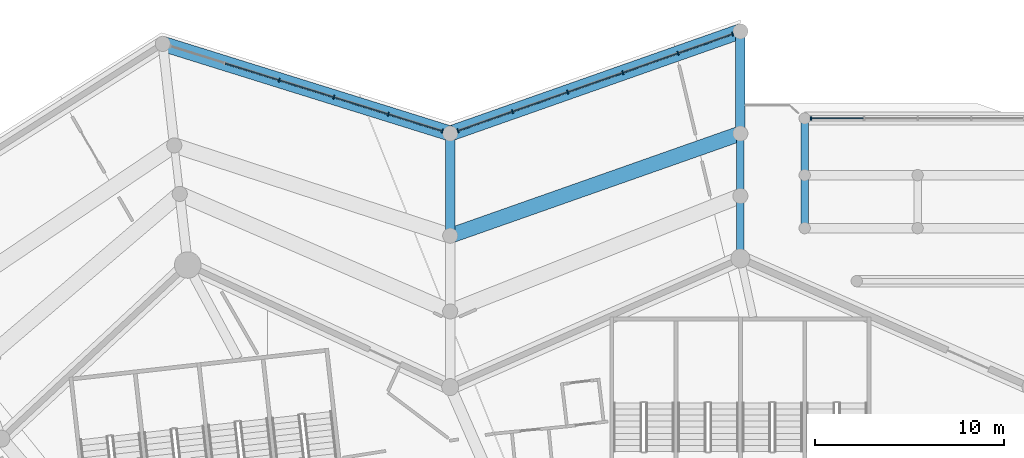
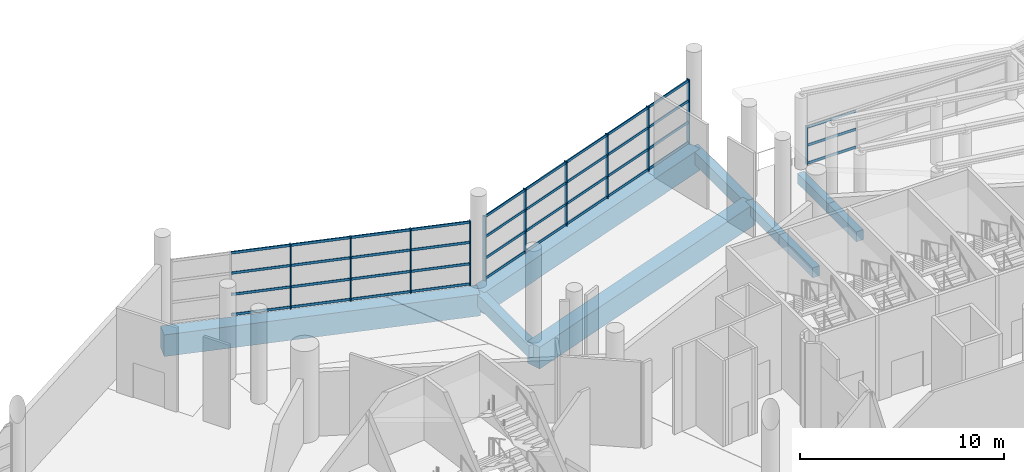
# One storey, part 88 of 271: 50 members, 9 beams, 3 elements without a shape of their own.
"""IFC4 building model written with IfcOpenShell, lengths in metres."""

from ifc_helpers import new_model, si_unit, direction, frame, origin, origin_2d, place, context, subcontext, project, spatial, rectangle, extrude, material, layer, layer_set, material_profile, profile_set, type_object, element, aggregate, save


model = new_model("IFC4")

# Units and contexts
model_context = context("Model", 3, precision=1e-05, world=origin(), true_north=direction((0.0, 1.0)))
body_context = subcontext(model_context, "Body", "Model", "MODEL_VIEW")
ifc_project = project(units=[si_unit("LENGTHUNIT", "METRE"), si_unit("AREAUNIT", "SQUARE_METRE"), si_unit("VOLUMEUNIT", "CUBIC_METRE"), si_unit("PLANEANGLEUNIT", "RADIAN"), si_unit("MASSUNIT", "GRAM", prefix="KILO")], contexts=[model_context])

# Site, building, storey
site_placement = place(None, origin())
site = spatial("IfcSite", under=ifc_project, at=site_placement, CompositionType="ELEMENT")
building_placement = place(site_placement, origin())
building = spatial("IfcBuilding", under=site, at=building_placement, Name="Meseta Stadium", CompositionType="ELEMENT")
storey_placement = place(building_placement, frame((0.0, 0.0, 6.5)))
storey = spatial("IfcBuildingStorey", under=building, at=storey_placement, Name="L01", CompositionType="ELEMENT", Elevation=6.5)

# Beams
ifc_material_1 = material(Name="Concrete C40/50", Category="concrete")
ifc_material_profile_1 = material_profile(ifc_material_1, rectangle(XDim=0.39990234375, YDim=0.60009765625, at=origin_2d()), Name="RC 400x600")
ifc_profile_set_1 = profile_set([ifc_material_profile_1], Name="Concrete C40/50")
beam_type_1 = type_object("IfcBeamType", Name="RC beam 400x600", PredefinedType="BEAM", material=ifc_profile_set_1)
for number, where, z_axis, x_axis, name in (
    (1, (-23.0, 105.39990234375, -0.64990234375), (0.0, 1.0, 0.0), (-1.0, 0.0, 0.0), "L01 radial beam frame 20 line R to M"),
    (2, (-23.0, 108.699951171875, -0.64990234375), (0.0, 1.0, 0.0), (-1.0, 0.0, 0.0), "L01 radial beam frame 20 line M to Q"),
):
    element("IfcBeam", number, at=place(storey_placement, frame(where, z_axis=z_axis, x_axis=x_axis)), inside=storey, type_object=beam_type_1, Name=name, PredefinedType="BEAM", context=body_context, shape_type="SweptSolid", body=[
        extrude(rectangle(XDim=0.39990234375, YDim=0.60009765625, at=origin_2d()), origin(), (0.0, 0.0, 1.0), 3.300048828125),
    ])
beam_1_placement = place(storey_placement, frame((-19.60009765625, 107.0, -0.64990234375), z_axis=(0.0, 1.0, 0.0), x_axis=(-1.0, 0.0, 0.0)))
element("IfcBeam", 3, at=beam_1_placement, inside=storey, type_object=beam_type_1, Name="Gate 3 floor beam", PredefinedType="BEAM", context=body_context, shape_type="SweptSolid", body=[
    extrude(rectangle(XDim=0.39990234375, YDim=0.60009765625, at=origin_2d()), origin(), (0.0, 0.0, 1.0), 2.800048828125),
])
beam_2_placement = place(storey_placement, frame((-19.60009765625, 109.800048828125, -0.64990234375), z_axis=(0.0, 1.0, 0.0), x_axis=(-1.0, 0.0, 0.0)))
element("IfcBeam", 4, at=beam_2_placement, inside=storey, type_object=beam_type_1, Name="Gate 3 floor beam", PredefinedType="BEAM", context=body_context, shape_type="SweptSolid", body=[
    extrude(rectangle(XDim=0.39990234375, YDim=0.60009765625, at=origin_2d()), origin(), (0.0, 0.0, 1.0), 3.0),
])
ifc_material_2 = material(Name="Concrete C40/50", Category="concrete")
ifc_material_profile_2 = material_profile(ifc_material_2, rectangle(XDim=0.5, YDim=0.75, at=origin_2d()), Name="RC 500x750")
ifc_profile_set_2 = profile_set([ifc_material_profile_2], Name="Concrete C40/50")
beam_type_2 = type_object("IfcBeamType", Name="RC beam 500x750", PredefinedType="BEAM", material=ifc_profile_set_2)
for number, where, z_axis, x_axis, name in (
    (5, (-23.0, 112.0, -0.72509765625), (0.0, 1.0, 0.0), (-1.0, 0.0, 0.0), "L01 radial beam frame 20 line Q to O"),
    (6, (-38.333251953125, 106.60009765625, -0.72509765625), (0.0, 1.0, 0.0), (-1.0, 0.0, 0.0), "L01 radial beam frame 21 line Q to O"),
):
    element("IfcBeam", number, at=place(storey_placement, frame(where, z_axis=z_axis, x_axis=x_axis)), inside=storey, type_object=beam_type_2, Name=name, PredefinedType="BEAM", context=body_context, shape_type="SweptSolid", body=[
        extrude(rectangle(XDim=0.5, YDim=0.75, at=origin_2d()), origin(), (0.0, 0.0, 1.0), 5.39990234375),
    ])
ifc_material_3 = material(Name="Concrete C40/50", Category="concrete")
ifc_material_profile_3 = material_profile(ifc_material_3, rectangle(XDim=0.800048828125, YDim=1.300048828125, at=origin_2d()), Name="RC 800x1300")
ifc_profile_set_3 = profile_set([ifc_material_profile_3], Name="Concrete C40/50")
beam_type_3 = type_object("IfcBeamType", Name="RC beam 800x1300", PredefinedType="BEAM", material=ifc_profile_set_3)
for number, where, z_axis, x_axis, name in (
    (7, (-23.0, 112.0, -1.0), (-0.943218573019, -0.332172731439, 0.0), (0.332172731439, -0.943218573019, 0.0), "L01 ring beam frame 20 line Q"),
    (8, (-23.0, 117.39990234375, -1.0), (-0.943218573019, -0.332172731439, 0.0), (0.332172731439, -0.943218573019, 0.0), "L01 ring beam frame 20 line O"),
):
    element("IfcBeam", number, at=place(storey_placement, frame(where, z_axis=z_axis, x_axis=x_axis)), inside=storey, type_object=beam_type_3, Name=name, PredefinedType="BEAM", context=body_context, shape_type="SweptSolid", body=[
        extrude(rectangle(XDim=0.800048828125, YDim=1.300048828125, at=origin_2d()), origin(), (0.0, 0.0, 1.0), 16.25634765625),
    ])
beam_3_placement = place(storey_placement, frame((-38.333251953125, 112.0, -1.0), z_axis=(-0.954612869987, 0.297849405667, 0.0), x_axis=(-0.297849405667, -0.954612869987, 0.0)))
element("IfcBeam", 9, at=beam_3_placement, inside=storey, type_object=beam_type_3, Name="L01 ring beam frame 21 line O", PredefinedType="BEAM", context=body_context, shape_type="SweptSolid", body=[
    extrude(rectangle(XDim=0.800048828125, YDim=1.300048828125, at=origin_2d()), origin(), (0.0, 0.0, 1.0), 15.908203125),
])

# Curtain wall, members
ifc_material_4 = material(Name="Aluminium", Category="aluminium")
ifc_layer_1 = layer(ifc_material_4, 0.199951171875)
ifc_layer_set_1 = layer_set([ifc_layer_1], Name="Ring shopfront curtain wall")
curtain_wall_type_1 = type_object("IfcCurtainWallType", Name="Ring shopfront curtain wall", PredefinedType="NOTDEFINED", material=ifc_layer_set_1)
curtain_wall_1_placement = place(storey_placement, origin())
curtain_wall_1 = element("IfcCurtainWall", 10, at=curtain_wall_1_placement, inside=storey, type_object=curtain_wall_type_1, Name="Ring glazing L01 F20", PredefinedType="NOTDEFINED")
ifc_material_5 = material(Name="Aluminium", Category="aluminium")
ifc_material_profile_4 = material_profile(ifc_material_5, rectangle(XDim=0.199951171875, YDim=0.06005859375, at=origin_2d()), Name="CW 200x60")
ifc_profile_set_4 = profile_set([ifc_material_profile_4], Name="Aluminium")
member_type_1 = type_object("IfcMemberType", Name="Ring CW mullion 60x200", PredefinedType="MULLION", material=ifc_profile_set_4)
member_1_placement = place(storey_placement, frame((-23.405517578125, 117.257080078125, 0.0), z_axis=(0.0, 0.0, 1.0), x_axis=(0.332174330154, -0.943218009999, 0.0)))
member_1 = element("IfcMember", 11, at=member_1_placement, type_object=member_type_1, Name="CWR1 mullion 1", PredefinedType="MULLION", context=body_context, shape_type="SweptSolid", body=[
    extrude(rectangle(XDim=0.199951171875, YDim=0.06005859375, at=origin_2d()), origin(), (0.0, 0.0, 1.0), 3.85009765625),
])
member_2_placement = place(storey_placement, frame((-26.29296875, 116.240234375, 0.0), z_axis=(0.0, 0.0, 1.0), x_axis=(0.332174330154, -0.943218009999, 0.0)))
member_2 = element("IfcMember", 12, at=member_2_placement, type_object=member_type_1, Name="CWR1 mullion 2", PredefinedType="MULLION", context=body_context, shape_type="SweptSolid", body=[
    extrude(rectangle(XDim=0.199951171875, YDim=0.06005859375, at=origin_2d()), origin(), (0.0, 0.0, 1.0), 3.85009765625),
])
member_3_placement = place(storey_placement, frame((-29.208740234375, 115.21337890625, 0.0), z_axis=(0.0, 0.0, 1.0), x_axis=(0.332174330154, -0.943218009999, 0.0)))
member_3 = element("IfcMember", 13, at=member_3_placement, type_object=member_type_1, Name="CWR1 mullion 3", PredefinedType="MULLION", context=body_context, shape_type="SweptSolid", body=[
    extrude(rectangle(XDim=0.199951171875, YDim=0.06005859375, at=origin_2d()), origin(), (0.0, 0.0, 1.0), 3.85009765625),
])
member_4_placement = place(storey_placement, frame((-32.12451171875, 114.1865234375, 0.0), z_axis=(0.0, 0.0, 1.0), x_axis=(0.332174330154, -0.943218009999, 0.0)))
member_4 = element("IfcMember", 14, at=member_4_placement, type_object=member_type_1, Name="CWR1 mullion 4", PredefinedType="MULLION", context=body_context, shape_type="SweptSolid", body=[
    extrude(rectangle(XDim=0.199951171875, YDim=0.06005859375, at=origin_2d()), origin(), (0.0, 0.0, 1.0), 3.85009765625),
])
member_5_placement = place(storey_placement, frame((-35.040283203125, 113.15966796875, 0.0), z_axis=(0.0, 0.0, 1.0), x_axis=(0.332174330154, -0.943218009999, 0.0)))
member_5 = element("IfcMember", 15, at=member_5_placement, type_object=member_type_1, Name="CWR1 mullion 5", PredefinedType="MULLION", context=body_context, shape_type="SweptSolid", body=[
    extrude(rectangle(XDim=0.199951171875, YDim=0.06005859375, at=origin_2d()), origin(), (0.0, 0.0, 1.0), 3.85009765625),
])
member_6_placement = place(storey_placement, frame((-37.927734375, 112.142822265625, 0.0), z_axis=(0.0, 0.0, 1.0), x_axis=(0.332174330154, -0.943218009999, 0.0)))
member_6 = element("IfcMember", 16, at=member_6_placement, type_object=member_type_1, Name="CWR1 mullion 6", PredefinedType="MULLION", context=body_context, shape_type="SweptSolid", body=[
    extrude(rectangle(XDim=0.199951171875, YDim=0.06005859375, at=origin_2d()), origin(), (0.0, 0.0, 1.0), 3.85009765625),
])

curtain_wall_2_placement = place(storey_placement, origin())
curtain_wall_2 = element("IfcCurtainWall", 17, at=curtain_wall_2_placement, inside=storey, type_object=curtain_wall_type_1, Name="Ring glazing L01 F21", PredefinedType="NOTDEFINED")
member_7_placement = place(storey_placement, frame((-38.743896484375, 112.1279296875, 0.0), z_axis=(0.0, 0.0, 1.0), x_axis=(-0.297861157885, -0.95460920309, 0.0)))
member_7 = element("IfcMember", 18, at=member_7_placement, type_object=member_type_1, Name="CWR1 mullion 1", PredefinedType="MULLION", context=body_context, shape_type="SweptSolid", body=[
    extrude(rectangle(XDim=0.199951171875, YDim=0.06005859375, at=origin_2d()), origin(), (0.0, 0.0, 1.0), 3.85009765625),
])
member_8_placement = place(storey_placement, frame((-41.599609375, 113.01904296875, 0.0), z_axis=(0.0, 0.0, 1.0), x_axis=(-0.297861157885, -0.95460920309, 0.0)))
member_8 = element("IfcMember", 19, at=member_8_placement, type_object=member_type_1, Name="CWR1 mullion 2", PredefinedType="MULLION", context=body_context, shape_type="SweptSolid", body=[
    extrude(rectangle(XDim=0.199951171875, YDim=0.06005859375, at=origin_2d()), origin(), (0.0, 0.0, 1.0), 3.85009765625),
])
member_9_placement = place(storey_placement, frame((-44.484130859375, 113.919189453125, 0.0), z_axis=(0.0, 0.0, 1.0), x_axis=(-0.297861157885, -0.95460920309, 0.0)))
member_9 = element("IfcMember", 20, at=member_9_placement, type_object=member_type_1, Name="CWR1 mullion 3", PredefinedType="MULLION", context=body_context, shape_type="SweptSolid", body=[
    extrude(rectangle(XDim=0.199951171875, YDim=0.06005859375, at=origin_2d()), origin(), (0.0, 0.0, 1.0), 3.85009765625),
])
member_10_placement = place(storey_placement, frame((-47.36865234375, 114.8193359375, 0.0), z_axis=(0.0, 0.0, 1.0), x_axis=(-0.297861157885, -0.95460920309, 0.0)))
member_10 = element("IfcMember", 21, at=member_10_placement, type_object=member_type_1, Name="CWR1 mullion 4", PredefinedType="MULLION", context=body_context, shape_type="SweptSolid", body=[
    extrude(rectangle(XDim=0.199951171875, YDim=0.06005859375, at=origin_2d()), origin(), (0.0, 0.0, 1.0), 3.85009765625),
])

# Curtain wall, member
ifc_material_6 = material(Name="Aluminium", Category="aluminium")
ifc_layer_2 = layer(ifc_material_6, 0.199951171875)
ifc_layer_set_2 = layer_set([ifc_layer_2], Name="Gate hall curtain wall")
curtain_wall_type_2 = type_object("IfcCurtainWallType", Name="Gate hall curtain wall", PredefinedType="NOTDEFINED", material=ifc_layer_set_2)
curtain_wall_3_placement = place(storey_placement, origin())
curtain_wall_3 = element("IfcCurtainWall", 22, at=curtain_wall_3_placement, inside=storey, type_object=curtain_wall_type_2, Name="Gate 3 hall glazing", PredefinedType="NOTDEFINED")
member_11_placement = place(storey_placement, frame((-19.27001953125, 112.800048828125, 0.0), z_axis=(0.0, 0.0, 1.0), x_axis=(0.0, 1.0, 0.0)))
member_11 = element("IfcMember", 23, at=member_11_placement, type_object=member_type_1, Name="CWG1 mullion 1", PredefinedType="MULLION", context=body_context, shape_type="SweptSolid", body=[
    extrude(rectangle(XDim=0.199951171875, YDim=0.06005859375, at=origin_2d()), origin(), (0.0, 0.0, 1.0), 2.29931640625),
])

# Member
ifc_material_7 = material(Name="Aluminium", Category="aluminium")
ifc_material_profile_5 = material_profile(ifc_material_7, rectangle(XDim=0.06005859375, YDim=0.14990234375, at=origin_2d()), Name="CW 60x150")
ifc_profile_set_5 = profile_set([ifc_material_profile_5], Name="Aluminium")
member_type_2 = type_object("IfcMemberType", Name="Ring CW transom 60x150", PredefinedType="USERDEFINED", material=ifc_profile_set_5)
member_12_placement = place(storey_placement, frame((-23.433837890625, 117.2470703125, 0.074951171875), z_axis=(-0.943228878245, -0.332143467863, 0.0), x_axis=(0.332143467863, -0.943228878245, 0.0)))
member_12 = element("IfcMember", 24, at=member_12_placement, type_object=member_type_2, Name="CWR1 transom 1.1", ObjectType="TRANSOM", PredefinedType="USERDEFINED", context=body_context, shape_type="SweptSolid", body=[
    extrude(rectangle(XDim=0.06005859375, YDim=0.14990234375, at=origin_2d()), origin(), (0.0, 0.0, 1.0), 3.001220703125),
])

member_13_placement = place(storey_placement, frame((-23.433837890625, 117.2470703125, 1.283447265625), z_axis=(-0.943228878245, -0.332143467863, 0.0), x_axis=(0.332143467863, -0.943228878245, 0.0)))
member_13 = element("IfcMember", 25, at=member_13_placement, type_object=member_type_2, Name="CWR1 transom 1.2", ObjectType="TRANSOM", PredefinedType="USERDEFINED", context=body_context, shape_type="SweptSolid", body=[
    extrude(rectangle(XDim=0.06005859375, YDim=0.14990234375, at=origin_2d()), origin(), (0.0, 0.0, 1.0), 3.001220703125),
])

member_14_placement = place(storey_placement, frame((-23.433837890625, 117.2470703125, 2.566650390625), z_axis=(-0.943228878245, -0.332143467863, 0.0), x_axis=(0.332143467863, -0.943228878245, 0.0)))
member_14 = element("IfcMember", 26, at=member_14_placement, type_object=member_type_2, Name="CWR1 transom 1.3", ObjectType="TRANSOM", PredefinedType="USERDEFINED", context=body_context, shape_type="SweptSolid", body=[
    extrude(rectangle(XDim=0.06005859375, YDim=0.14990234375, at=origin_2d()), origin(), (0.0, 0.0, 1.0), 3.001220703125),
])

member_15_placement = place(storey_placement, frame((-23.433837890625, 117.2470703125, 3.77490234375), z_axis=(-0.943228878245, -0.332143467863, 0.0), x_axis=(0.332143467863, -0.943228878245, 0.0)))
member_15 = element("IfcMember", 27, at=member_15_placement, type_object=member_type_2, Name="CWR1 transom 1.4", ObjectType="TRANSOM", PredefinedType="USERDEFINED", context=body_context, shape_type="SweptSolid", body=[
    extrude(rectangle(XDim=0.06005859375, YDim=0.14990234375, at=origin_2d()), origin(), (0.0, 0.0, 1.0), 3.001220703125),
])

member_16_placement = place(storey_placement, frame((-26.3212890625, 116.230224609375, 0.074951171875), z_axis=(-0.943225032885, -0.332154387808, 0.0), x_axis=(0.332154387808, -0.943225032885, 0.0)))
member_16 = element("IfcMember", 28, at=member_16_placement, type_object=member_type_2, Name="CWR1 transom 2.1", ObjectType="TRANSOM", PredefinedType="USERDEFINED", context=body_context, shape_type="SweptSolid", body=[
    extrude(rectangle(XDim=0.06005859375, YDim=0.14990234375, at=origin_2d()), origin(), (0.0, 0.0, 1.0), 3.03125),
])

member_17_placement = place(storey_placement, frame((-26.3212890625, 116.230224609375, 1.283447265625), z_axis=(-0.943225032885, -0.332154387808, 0.0), x_axis=(0.332154387808, -0.943225032885, 0.0)))
member_17 = element("IfcMember", 29, at=member_17_placement, type_object=member_type_2, Name="CWR1 transom 2.2", ObjectType="TRANSOM", PredefinedType="USERDEFINED", context=body_context, shape_type="SweptSolid", body=[
    extrude(rectangle(XDim=0.06005859375, YDim=0.14990234375, at=origin_2d()), origin(), (0.0, 0.0, 1.0), 3.03125),
])

member_18_placement = place(storey_placement, frame((-26.3212890625, 116.230224609375, 2.566650390625), z_axis=(-0.943225032885, -0.332154387808, 0.0), x_axis=(0.332154387808, -0.943225032885, 0.0)))
member_18 = element("IfcMember", 30, at=member_18_placement, type_object=member_type_2, Name="CWR1 transom 2.3", ObjectType="TRANSOM", PredefinedType="USERDEFINED", context=body_context, shape_type="SweptSolid", body=[
    extrude(rectangle(XDim=0.06005859375, YDim=0.14990234375, at=origin_2d()), origin(), (0.0, 0.0, 1.0), 3.03125),
])

member_19_placement = place(storey_placement, frame((-26.3212890625, 116.230224609375, 3.77490234375), z_axis=(-0.943225032885, -0.332154387808, 0.0), x_axis=(0.332154387808, -0.943225032885, 0.0)))
member_19 = element("IfcMember", 31, at=member_19_placement, type_object=member_type_2, Name="CWR1 transom 2.4", ObjectType="TRANSOM", PredefinedType="USERDEFINED", context=body_context, shape_type="SweptSolid", body=[
    extrude(rectangle(XDim=0.06005859375, YDim=0.14990234375, at=origin_2d()), origin(), (0.0, 0.0, 1.0), 3.03125),
])

member_20_placement = place(storey_placement, frame((-29.237060546875, 115.203369140625, 0.074951171875), z_axis=(-0.943225032885, -0.332154387808, 0.0), x_axis=(0.332154387808, -0.943225032885, 0.0)))
member_20 = element("IfcMember", 32, at=member_20_placement, type_object=member_type_2, Name="CWR1 transom 3.1", ObjectType="TRANSOM", PredefinedType="USERDEFINED", context=body_context, shape_type="SweptSolid", body=[
    extrude(rectangle(XDim=0.06005859375, YDim=0.14990234375, at=origin_2d()), origin(), (0.0, 0.0, 1.0), 3.03125),
])

member_21_placement = place(storey_placement, frame((-29.237060546875, 115.203369140625, 1.283447265625), z_axis=(-0.943225032885, -0.332154387808, 0.0), x_axis=(0.332154387808, -0.943225032885, 0.0)))
member_21 = element("IfcMember", 33, at=member_21_placement, type_object=member_type_2, Name="CWR1 transom 3.2", ObjectType="TRANSOM", PredefinedType="USERDEFINED", context=body_context, shape_type="SweptSolid", body=[
    extrude(rectangle(XDim=0.06005859375, YDim=0.14990234375, at=origin_2d()), origin(), (0.0, 0.0, 1.0), 3.03125),
])

member_22_placement = place(storey_placement, frame((-29.237060546875, 115.203369140625, 2.566650390625), z_axis=(-0.943225032885, -0.332154387808, 0.0), x_axis=(0.332154387808, -0.943225032885, 0.0)))
member_22 = element("IfcMember", 34, at=member_22_placement, type_object=member_type_2, Name="CWR1 transom 3.3", ObjectType="TRANSOM", PredefinedType="USERDEFINED", context=body_context, shape_type="SweptSolid", body=[
    extrude(rectangle(XDim=0.06005859375, YDim=0.14990234375, at=origin_2d()), origin(), (0.0, 0.0, 1.0), 3.03125),
])

member_23_placement = place(storey_placement, frame((-29.237060546875, 115.203369140625, 3.77490234375), z_axis=(-0.943225032885, -0.332154387808, 0.0), x_axis=(0.332154387808, -0.943225032885, 0.0)))
member_23 = element("IfcMember", 35, at=member_23_placement, type_object=member_type_2, Name="CWR1 transom 3.4", ObjectType="TRANSOM", PredefinedType="USERDEFINED", context=body_context, shape_type="SweptSolid", body=[
    extrude(rectangle(XDim=0.06005859375, YDim=0.14990234375, at=origin_2d()), origin(), (0.0, 0.0, 1.0), 3.03125),
])

member_24_placement = place(storey_placement, frame((-32.15283203125, 114.176513671875, 0.074951171875), z_axis=(-0.943225032885, -0.332154387808, 0.0), x_axis=(0.332154387808, -0.943225032885, 0.0)))
member_24 = element("IfcMember", 36, at=member_24_placement, type_object=member_type_2, Name="CWR1 transom 4.1", ObjectType="TRANSOM", PredefinedType="USERDEFINED", context=body_context, shape_type="SweptSolid", body=[
    extrude(rectangle(XDim=0.06005859375, YDim=0.14990234375, at=origin_2d()), origin(), (0.0, 0.0, 1.0), 3.03125),
])

member_25_placement = place(storey_placement, frame((-32.15283203125, 114.176513671875, 1.283447265625), z_axis=(-0.943225032885, -0.332154387808, 0.0), x_axis=(0.332154387808, -0.943225032885, 0.0)))
member_25 = element("IfcMember", 37, at=member_25_placement, type_object=member_type_2, Name="CWR1 transom 4.2", ObjectType="TRANSOM", PredefinedType="USERDEFINED", context=body_context, shape_type="SweptSolid", body=[
    extrude(rectangle(XDim=0.06005859375, YDim=0.14990234375, at=origin_2d()), origin(), (0.0, 0.0, 1.0), 3.03125),
])

member_26_placement = place(storey_placement, frame((-32.15283203125, 114.176513671875, 2.566650390625), z_axis=(-0.943225032885, -0.332154387808, 0.0), x_axis=(0.332154387808, -0.943225032885, 0.0)))
member_26 = element("IfcMember", 38, at=member_26_placement, type_object=member_type_2, Name="CWR1 transom 4.3", ObjectType="TRANSOM", PredefinedType="USERDEFINED", context=body_context, shape_type="SweptSolid", body=[
    extrude(rectangle(XDim=0.06005859375, YDim=0.14990234375, at=origin_2d()), origin(), (0.0, 0.0, 1.0), 3.03125),
])

member_27_placement = place(storey_placement, frame((-32.15283203125, 114.176513671875, 3.77490234375), z_axis=(-0.943225032885, -0.332154387808, 0.0), x_axis=(0.332154387808, -0.943225032885, 0.0)))
member_27 = element("IfcMember", 39, at=member_27_placement, type_object=member_type_2, Name="CWR1 transom 4.4", ObjectType="TRANSOM", PredefinedType="USERDEFINED", context=body_context, shape_type="SweptSolid", body=[
    extrude(rectangle(XDim=0.06005859375, YDim=0.14990234375, at=origin_2d()), origin(), (0.0, 0.0, 1.0), 3.03125),
])

member_28_placement = place(storey_placement, frame((-35.068603515625, 113.149658203125, 0.074951171875), z_axis=(-0.943228878245, -0.332143467863, 0.0), x_axis=(0.332143467863, -0.943228878245, 0.0)))
member_28 = element("IfcMember", 40, at=member_28_placement, type_object=member_type_2, Name="CWR1 transom 5.1", ObjectType="TRANSOM", PredefinedType="USERDEFINED", context=body_context, shape_type="SweptSolid", body=[
    extrude(rectangle(XDim=0.06005859375, YDim=0.14990234375, at=origin_2d()), origin(), (0.0, 0.0, 1.0), 3.001220703125),
])

member_29_placement = place(storey_placement, frame((-35.068603515625, 113.149658203125, 1.283447265625), z_axis=(-0.943228878245, -0.332143467863, 0.0), x_axis=(0.332143467863, -0.943228878245, 0.0)))
member_29 = element("IfcMember", 41, at=member_29_placement, type_object=member_type_2, Name="CWR1 transom 5.2", ObjectType="TRANSOM", PredefinedType="USERDEFINED", context=body_context, shape_type="SweptSolid", body=[
    extrude(rectangle(XDim=0.06005859375, YDim=0.14990234375, at=origin_2d()), origin(), (0.0, 0.0, 1.0), 3.001220703125),
])

member_30_placement = place(storey_placement, frame((-35.068603515625, 113.149658203125, 2.566650390625), z_axis=(-0.943228878245, -0.332143467863, 0.0), x_axis=(0.332143467863, -0.943228878245, 0.0)))
member_30 = element("IfcMember", 42, at=member_30_placement, type_object=member_type_2, Name="CWR1 transom 5.3", ObjectType="TRANSOM", PredefinedType="USERDEFINED", context=body_context, shape_type="SweptSolid", body=[
    extrude(rectangle(XDim=0.06005859375, YDim=0.14990234375, at=origin_2d()), origin(), (0.0, 0.0, 1.0), 3.001220703125),
])

member_31_placement = place(storey_placement, frame((-35.068603515625, 113.149658203125, 3.77490234375), z_axis=(-0.943228878245, -0.332143467863, 0.0), x_axis=(0.332143467863, -0.943228878245, 0.0)))
member_31 = element("IfcMember", 43, at=member_31_placement, type_object=member_type_2, Name="CWR1 transom 5.4", ObjectType="TRANSOM", PredefinedType="USERDEFINED", context=body_context, shape_type="SweptSolid", body=[
    extrude(rectangle(XDim=0.06005859375, YDim=0.14990234375, at=origin_2d()), origin(), (0.0, 0.0, 1.0), 3.001220703125),
])

aggregate(curtain_wall_1, [member_1, member_2, member_3, member_4, member_5, member_6, member_12, member_13, member_14, member_15, member_16, member_17, member_18, member_19, member_20, member_21, member_22, member_23, member_24, member_25, member_26, member_27, member_28, member_29, member_30, member_31])

member_32_placement = place(storey_placement, frame((-38.7724609375, 112.136962890625, 0.074951171875), z_axis=(-0.954602885883, 0.297881403019, 0.0), x_axis=(-0.297881403019, -0.954602885883, 0.0)))
member_32 = element("IfcMember", 44, at=member_32_placement, type_object=member_type_2, Name="CWR1 transom 1.1", ObjectType="TRANSOM", PredefinedType="USERDEFINED", context=body_context, shape_type="SweptSolid", body=[
    extrude(rectangle(XDim=0.06005859375, YDim=0.14990234375, at=origin_2d()), origin(), (0.0, 0.0, 1.0), 2.931640625),
])

member_33_placement = place(storey_placement, frame((-38.7724609375, 112.136962890625, 1.283447265625), z_axis=(-0.954602885883, 0.297881403019, 0.0), x_axis=(-0.297881403019, -0.954602885883, 0.0)))
member_33 = element("IfcMember", 45, at=member_33_placement, type_object=member_type_2, Name="CWR1 transom 1.2", ObjectType="TRANSOM", PredefinedType="USERDEFINED", context=body_context, shape_type="SweptSolid", body=[
    extrude(rectangle(XDim=0.06005859375, YDim=0.14990234375, at=origin_2d()), origin(), (0.0, 0.0, 1.0), 2.931640625),
])

member_34_placement = place(storey_placement, frame((-38.7724609375, 112.136962890625, 2.566650390625), z_axis=(-0.954602885883, 0.297881403019, 0.0), x_axis=(-0.297881403019, -0.954602885883, 0.0)))
member_34 = element("IfcMember", 46, at=member_34_placement, type_object=member_type_2, Name="CWR1 transom 1.3", ObjectType="TRANSOM", PredefinedType="USERDEFINED", context=body_context, shape_type="SweptSolid", body=[
    extrude(rectangle(XDim=0.06005859375, YDim=0.14990234375, at=origin_2d()), origin(), (0.0, 0.0, 1.0), 2.931640625),
])

member_35_placement = place(storey_placement, frame((-38.7724609375, 112.136962890625, 3.77490234375), z_axis=(-0.954602885883, 0.297881403019, 0.0), x_axis=(-0.297881403019, -0.954602885883, 0.0)))
member_35 = element("IfcMember", 47, at=member_35_placement, type_object=member_type_2, Name="CWR1 transom 1.4", ObjectType="TRANSOM", PredefinedType="USERDEFINED", context=body_context, shape_type="SweptSolid", body=[
    extrude(rectangle(XDim=0.06005859375, YDim=0.14990234375, at=origin_2d()), origin(), (0.0, 0.0, 1.0), 2.931640625),
])

member_36_placement = place(storey_placement, frame((-41.62841796875, 113.028076171875, 0.074951171875), z_axis=(-0.954614829799, 0.297843124358, 0.0), x_axis=(-0.297843124358, -0.954614829799, 0.0)))
member_36 = element("IfcMember", 48, at=member_36_placement, type_object=member_type_2, Name="CWR1 transom 2.1", ObjectType="TRANSOM", PredefinedType="USERDEFINED", context=body_context, shape_type="SweptSolid", body=[
    extrude(rectangle(XDim=0.06005859375, YDim=0.14990234375, at=origin_2d()), origin(), (0.0, 0.0, 1.0), 2.961669921875),
])

member_37_placement = place(storey_placement, frame((-41.62841796875, 113.028076171875, 1.283447265625), z_axis=(-0.954614829799, 0.297843124358, 0.0), x_axis=(-0.297843124358, -0.954614829799, 0.0)))
member_37 = element("IfcMember", 49, at=member_37_placement, type_object=member_type_2, Name="CWR1 transom 2.2", ObjectType="TRANSOM", PredefinedType="USERDEFINED", context=body_context, shape_type="SweptSolid", body=[
    extrude(rectangle(XDim=0.06005859375, YDim=0.14990234375, at=origin_2d()), origin(), (0.0, 0.0, 1.0), 2.961669921875),
])

member_38_placement = place(storey_placement, frame((-41.62841796875, 113.028076171875, 2.566650390625), z_axis=(-0.954614829799, 0.297843124358, 0.0), x_axis=(-0.297843124358, -0.954614829799, 0.0)))
member_38 = element("IfcMember", 50, at=member_38_placement, type_object=member_type_2, Name="CWR1 transom 2.3", ObjectType="TRANSOM", PredefinedType="USERDEFINED", context=body_context, shape_type="SweptSolid", body=[
    extrude(rectangle(XDim=0.06005859375, YDim=0.14990234375, at=origin_2d()), origin(), (0.0, 0.0, 1.0), 2.961669921875),
])

member_39_placement = place(storey_placement, frame((-41.62841796875, 113.028076171875, 3.77490234375), z_axis=(-0.954614829799, 0.297843124358, 0.0), x_axis=(-0.297843124358, -0.954614829799, 0.0)))
member_39 = element("IfcMember", 51, at=member_39_placement, type_object=member_type_2, Name="CWR1 transom 2.4", ObjectType="TRANSOM", PredefinedType="USERDEFINED", context=body_context, shape_type="SweptSolid", body=[
    extrude(rectangle(XDim=0.06005859375, YDim=0.14990234375, at=origin_2d()), origin(), (0.0, 0.0, 1.0), 2.961669921875),
])

member_40_placement = place(storey_placement, frame((-44.512939453125, 113.92822265625, 0.074951171875), z_axis=(-0.954614829799, 0.297843124358, 0.0), x_axis=(-0.297843124358, -0.954614829799, 0.0)))
member_40 = element("IfcMember", 52, at=member_40_placement, type_object=member_type_2, Name="CWR1 transom 3.1", ObjectType="TRANSOM", PredefinedType="USERDEFINED", context=body_context, shape_type="SweptSolid", body=[
    extrude(rectangle(XDim=0.06005859375, YDim=0.14990234375, at=origin_2d()), origin(), (0.0, 0.0, 1.0), 2.961669921875),
])

member_41_placement = place(storey_placement, frame((-44.512939453125, 113.92822265625, 1.283447265625), z_axis=(-0.954614829799, 0.297843124358, 0.0), x_axis=(-0.297843124358, -0.954614829799, 0.0)))
member_41 = element("IfcMember", 53, at=member_41_placement, type_object=member_type_2, Name="CWR1 transom 3.2", ObjectType="TRANSOM", PredefinedType="USERDEFINED", context=body_context, shape_type="SweptSolid", body=[
    extrude(rectangle(XDim=0.06005859375, YDim=0.14990234375, at=origin_2d()), origin(), (0.0, 0.0, 1.0), 2.961669921875),
])

member_42_placement = place(storey_placement, frame((-44.512939453125, 113.92822265625, 2.566650390625), z_axis=(-0.954614829799, 0.297843124358, 0.0), x_axis=(-0.297843124358, -0.954614829799, 0.0)))
member_42 = element("IfcMember", 54, at=member_42_placement, type_object=member_type_2, Name="CWR1 transom 3.3", ObjectType="TRANSOM", PredefinedType="USERDEFINED", context=body_context, shape_type="SweptSolid", body=[
    extrude(rectangle(XDim=0.06005859375, YDim=0.14990234375, at=origin_2d()), origin(), (0.0, 0.0, 1.0), 2.961669921875),
])

member_43_placement = place(storey_placement, frame((-44.512939453125, 113.92822265625, 3.77490234375), z_axis=(-0.954614829799, 0.297843124358, 0.0), x_axis=(-0.297843124358, -0.954614829799, 0.0)))
member_43 = element("IfcMember", 55, at=member_43_placement, type_object=member_type_2, Name="CWR1 transom 3.4", ObjectType="TRANSOM", PredefinedType="USERDEFINED", context=body_context, shape_type="SweptSolid", body=[
    extrude(rectangle(XDim=0.06005859375, YDim=0.14990234375, at=origin_2d()), origin(), (0.0, 0.0, 1.0), 2.961669921875),
])

member_44_placement = place(storey_placement, frame((-47.3974609375, 114.828125, 0.074951171875), z_axis=(-0.954614829799, 0.297843124358, 0.0), x_axis=(-0.297843124358, -0.954614829799, 0.0)))
member_44 = element("IfcMember", 56, at=member_44_placement, type_object=member_type_2, Name="CWR1 transom 4.1", ObjectType="TRANSOM", PredefinedType="USERDEFINED", context=body_context, shape_type="SweptSolid", body=[
    extrude(rectangle(XDim=0.06005859375, YDim=0.14990234375, at=origin_2d()), origin(), (0.0, 0.0, 1.0), 2.961669921875),
])

member_45_placement = place(storey_placement, frame((-47.3974609375, 114.828125, 1.283447265625), z_axis=(-0.954614829799, 0.297843124358, 0.0), x_axis=(-0.297843124358, -0.954614829799, 0.0)))
member_45 = element("IfcMember", 57, at=member_45_placement, type_object=member_type_2, Name="CWR1 transom 4.2", ObjectType="TRANSOM", PredefinedType="USERDEFINED", context=body_context, shape_type="SweptSolid", body=[
    extrude(rectangle(XDim=0.06005859375, YDim=0.14990234375, at=origin_2d()), origin(), (0.0, 0.0, 1.0), 2.961669921875),
])

member_46_placement = place(storey_placement, frame((-47.3974609375, 114.828125, 2.566650390625), z_axis=(-0.954614829799, 0.297843124358, 0.0), x_axis=(-0.297843124358, -0.954614829799, 0.0)))
member_46 = element("IfcMember", 58, at=member_46_placement, type_object=member_type_2, Name="CWR1 transom 4.3", ObjectType="TRANSOM", PredefinedType="USERDEFINED", context=body_context, shape_type="SweptSolid", body=[
    extrude(rectangle(XDim=0.06005859375, YDim=0.14990234375, at=origin_2d()), origin(), (0.0, 0.0, 1.0), 2.961669921875),
])

member_47_placement = place(storey_placement, frame((-47.3974609375, 114.828125, 3.77490234375), z_axis=(-0.954614829799, 0.297843124358, 0.0), x_axis=(-0.297843124358, -0.954614829799, 0.0)))
member_47 = element("IfcMember", 59, at=member_47_placement, type_object=member_type_2, Name="CWR1 transom 4.4", ObjectType="TRANSOM", PredefinedType="USERDEFINED", context=body_context, shape_type="SweptSolid", body=[
    extrude(rectangle(XDim=0.06005859375, YDim=0.14990234375, at=origin_2d()), origin(), (0.0, 0.0, 1.0), 2.961669921875),
])

aggregate(curtain_wall_2, [member_7, member_8, member_9, member_10, member_32, member_33, member_34, member_35, member_36, member_37, member_38, member_39, member_40, member_41, member_42, member_43, member_44, member_45, member_46, member_47])

member_48_placement = place(storey_placement, frame((-19.239990234375, 112.800048828125, 0.074951171875), z_axis=(1.0, 0.0, 0.0), x_axis=(0.0, 1.0, 0.0)))
member_48 = element("IfcMember", 60, at=member_48_placement, type_object=member_type_2, Name="CWG1 transom 1.1", ObjectType="TRANSOM", PredefinedType="USERDEFINED", context=body_context, shape_type="SweptSolid", body=[
    extrude(rectangle(XDim=0.06005859375, YDim=0.14990234375, at=origin_2d()), origin(), (0.0, 0.0, 1.0), 2.743408203125),
])

member_49_placement = place(storey_placement, frame((-19.239990234375, 112.800048828125, 1.149658203125), z_axis=(1.0, 0.0, 0.0), x_axis=(0.0, 1.0, 0.0)))
member_49 = element("IfcMember", 61, at=member_49_placement, type_object=member_type_2, Name="CWG1 transom 1.2", ObjectType="TRANSOM", PredefinedType="USERDEFINED", context=body_context, shape_type="SweptSolid", body=[
    extrude(rectangle(XDim=0.06005859375, YDim=0.14990234375, at=origin_2d()), origin(), (0.0, 0.0, 1.0), 2.743408203125),
])

member_50_placement = place(storey_placement, frame((-19.239990234375, 112.800048828125, 2.224365234375), z_axis=(1.0, 0.0, 0.0), x_axis=(0.0, 1.0, 0.0)))
member_50 = element("IfcMember", 62, at=member_50_placement, type_object=member_type_2, Name="CWG1 transom 1.3", ObjectType="TRANSOM", PredefinedType="USERDEFINED", context=body_context, shape_type="SweptSolid", body=[
    extrude(rectangle(XDim=0.06005859375, YDim=0.14990234375, at=origin_2d()), origin(), (0.0, 0.0, 1.0), 2.743408203125),
])

aggregate(curtain_wall_3, [member_11, member_48, member_49, member_50])

save(model, "model.ifc")
